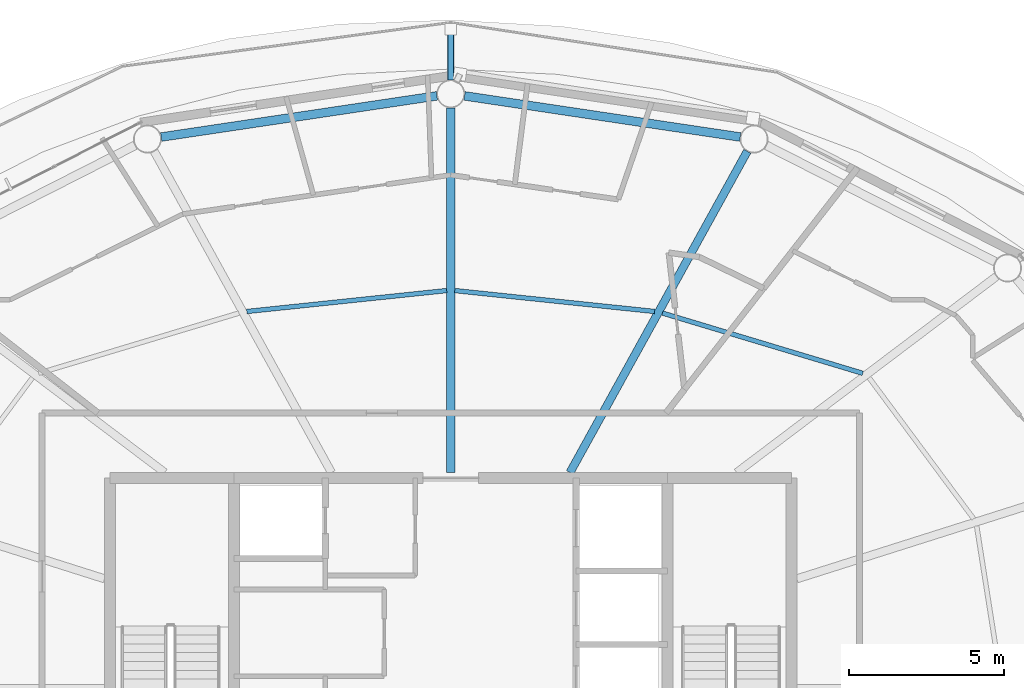
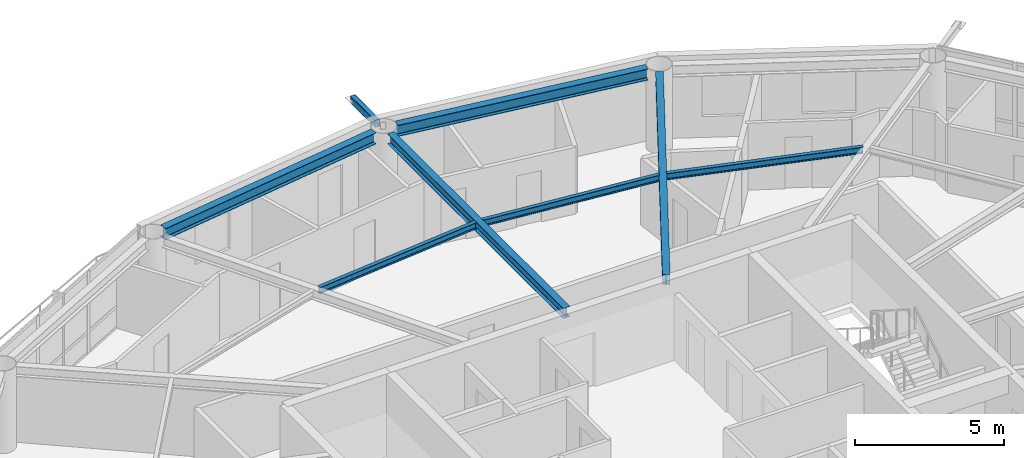
# One storey, part 10 of 22: 7 beams, 1 member.
"""IFC4 building model written with IfcOpenShell, lengths in metres."""

from ifc_helpers import new_model, si_unit, direction, frame, origin, origin_2d, place, context, subcontext, project, spatial, hollow_rectangle, i_section, extrude, material, material_profile, profile_set, type_object, element, save


model = new_model("IFC4")

# Units and contexts
model_context = context("Model", 3, precision=1e-05, world=origin(), true_north=direction((0.0, 1.0)))
body_context = subcontext(model_context, "Body", "Model", "MODEL_VIEW")
ifc_project = project(units=[si_unit("LENGTHUNIT", "METRE"), si_unit("AREAUNIT", "SQUARE_METRE"), si_unit("VOLUMEUNIT", "CUBIC_METRE"), si_unit("PLANEANGLEUNIT", "RADIAN"), si_unit("MASSUNIT", "GRAM", prefix="KILO")], contexts=[model_context])

# Site, building, storey
site_placement = place(None, origin())
site = spatial("IfcSite", under=ifc_project, at=site_placement, CompositionType="ELEMENT")
building_placement = place(site_placement, origin())
building = spatial("IfcBuilding", under=site, at=building_placement, Name="Sarneth Arch Tower", CompositionType="ELEMENT")
storey_placement = place(building_placement, frame((0.0, 0.0, 301.800048828125)))
storey = spatial("IfcBuildingStorey", under=building, at=storey_placement, Name="L78", CompositionType="ELEMENT", Elevation=301.800048828125)

# Beams
ifc_material_1 = material(Name="Steel S355", Category="steel")
ifc_material_profile_1 = material_profile(ifc_material_1, i_section(OverallWidth=0.14794921875, OverallDepth=0.26611328125, WebThickness=0.007568359375, FlangeThickness=0.012939453125, FilletRadius=0.012939453125, at=origin_2d()), Name="W250x44.8")
ifc_profile_set_1 = profile_set([ifc_material_profile_1], Name="Steel S355")
beam_type_1 = type_object("IfcBeamType", Name="BM-JOIST-250", PredefinedType="JOIST", material=ifc_profile_set_1)
beam_1_placement = place(storey_placement, frame((61.301025390625, 52.177490234375, 3.237060546875), z_axis=(-0.95760703602, 0.288077705776, 0.0), x_axis=(-0.288077705776, -0.95760703602, 0.0)))
element("IfcBeam", 1, at=beam_1_placement, inside=storey, type_object=beam_type_1, Name="L78 Secondary floor joist 03", PredefinedType="JOIST", context=body_context, shape_type="SweptSolid", body=[
    extrude(i_section(OverallWidth=0.14794921875, OverallDepth=0.26611328125, WebThickness=0.007568359375, FlangeThickness=0.012939453125, FilletRadius=0.012939453125, at=origin_2d()), origin(), (0.0, 0.0, 1.0), 6.7509765625),
])
for number, where, z_axis, x_axis, name in (
    (2, (54.582275390625, 54.17333984375, 3.237060546875), (-0.994564879221, 0.104118687178, 0.0), (-0.104118687178, -0.994564879221, 0.0), "L78 Secondary floor joist 04"),
    (3, (47.87060546875, 54.848876953125, 3.237060546875), (-0.994564879221, -0.104118687178, 0.0), (0.104118687178, -0.994564879221, 0.0), "L78 Secondary floor joist 05"),
):
    element("IfcBeam", number, at=place(storey_placement, frame(where, z_axis=z_axis, x_axis=x_axis)), inside=storey, type_object=beam_type_1, Name=name, PredefinedType="JOIST", context=body_context, shape_type="SweptSolid", body=[
        extrude(i_section(OverallWidth=0.14794921875, OverallDepth=0.26611328125, WebThickness=0.007568359375, FlangeThickness=0.012939453125, FilletRadius=0.012939453125, at=origin_2d()), origin(), (0.0, 0.0, 1.0), 6.488037109375),
    ])
ifc_material_2 = material(Name="Steel S355", Category="steel")
ifc_material_profile_2 = material_profile(ifc_material_2, i_section(OverallWidth=0.260009765625, OverallDepth=0.4150390625, WebThickness=0.010009765625, FlangeThickness=0.016845703125, FilletRadius=0.01611328125, at=origin_2d()), Name="W410x100")
ifc_profile_set_2 = profile_set([ifc_material_profile_2], Name="Steel S355")
beam_type_2 = type_object("IfcBeamType", Name="BM-RAD-410A", PredefinedType="BEAM", material=ifc_profile_set_2)
beam_2_placement = place(storey_placement, frame((51.849853515625, 48.97509765625, 3.162353515625), z_axis=(0.483229367873, 0.875493790969, 0.0), x_axis=(-0.875493790969, 0.483229367873, 0.0)))
element("IfcBeam", 4, at=beam_2_placement, inside=storey, type_object=beam_type_2, Name="L78 Radial floor girder 04", PredefinedType="BEAM", context=body_context, shape_type="SweptSolid", body=[
    extrude(i_section(OverallWidth=0.260009765625, OverallDepth=0.4150390625, WebThickness=0.010009765625, FlangeThickness=0.016845703125, FilletRadius=0.01611328125, at=origin_2d()), origin(), (0.0, 0.0, 1.0), 11.843994140625),
])
beam_3_placement = place(storey_placement, frame((48.0, 48.97509765625, 3.162353515625), z_axis=(0.0, 1.0, 0.0), x_axis=(-1.0, 0.0, 0.0)))
element("IfcBeam", 5, at=beam_3_placement, inside=storey, type_object=beam_type_2, Name="L78 Radial floor girder 05", PredefinedType="BEAM", context=body_context, shape_type="SweptSolid", body=[
    extrude(i_section(OverallWidth=0.260009765625, OverallDepth=0.4150390625, WebThickness=0.010009765625, FlangeThickness=0.016845703125, FilletRadius=0.01611328125, at=origin_2d()), origin(), (0.0, 0.0, 1.0), 11.77490234375),
])
ifc_material_3 = material(Name="Steel S355", Category="steel")
ifc_material_profile_3 = material_profile(ifc_material_3, i_section(OverallWidth=0.280029296875, OverallDepth=0.462890625, WebThickness=0.0107421875, FlangeThickness=0.017333984375, FilletRadius=0.01806640625, at=origin_2d()), Name="W460x113")
ifc_profile_set_3 = profile_set([ifc_material_profile_3], Name="Steel S355")
beam_type_3 = type_object("IfcBeamType", Name="BM-RAD-460A", PredefinedType="BEAM", material=ifc_profile_set_3)
for number, where, z_axis, x_axis, name in (
    (6, (57.345703125, 59.804931640625, 3.138427734375), (-0.989041765772, 0.147635990052, 0.0), (-0.147635990052, -0.989041765772, 0.0), "L78 Perimeter spandrel beam 04"),
    (7, (47.554931640625, 61.133544921875, 3.138427734375), (-0.989041765772, -0.147635990052, 0.0), (0.147635990052, -0.989041765772, 0.0), "L78 Perimeter spandrel beam 05"),
):
    element("IfcBeam", number, at=place(storey_placement, frame(where, z_axis=z_axis, x_axis=x_axis)), inside=storey, type_object=beam_type_3, Name=name, PredefinedType="BEAM", context=body_context, shape_type="SweptSolid", body=[
        extrude(i_section(OverallWidth=0.280029296875, OverallDepth=0.462890625, WebThickness=0.0107421875, FlangeThickness=0.017333984375, FilletRadius=0.01806640625, at=origin_2d()), origin(), (0.0, 0.0, 1.0), 8.999267578125),
    ])

# Member
ifc_material_4 = material(Name="Steel S355", Category="steel")
ifc_material_profile_4 = material_profile(ifc_material_4, hollow_rectangle(XDim=0.199951171875, YDim=0.300048828125, WallThickness=0.012451171875, InnerFilletRadius=0.018798828125, OuterFilletRadius=0.03125, at=origin_2d()), Name="RHS300x200x12.5")
ifc_profile_set_4 = profile_set([ifc_material_profile_4], Name="Steel S355")
member_type = type_object("IfcMemberType", Name="MEM-CANT-STRUT", PredefinedType="STRUT", material=ifc_profile_set_4)
member_placement = place(storey_placement, frame((48.0, 61.64990234375, 3.2099609375), z_axis=(0.0, 1.0, 0.0), x_axis=(-1.0, 0.0, 0.0)))
element("IfcMember", 8, at=member_placement, inside=storey, type_object=member_type, Name="L78 Balcony cantilever bracket 05", PredefinedType="STRUT", context=body_context, shape_type="SweptSolid", body=[
    extrude(hollow_rectangle(XDim=0.199951171875, YDim=0.300048828125, WallThickness=0.012451171875, InnerFilletRadius=0.018798828125, OuterFilletRadius=0.03125, at=origin_2d()), origin(), (0.0, 0.0, 1.0), 1.63232421875),
])

save(model, "model.ifc")
